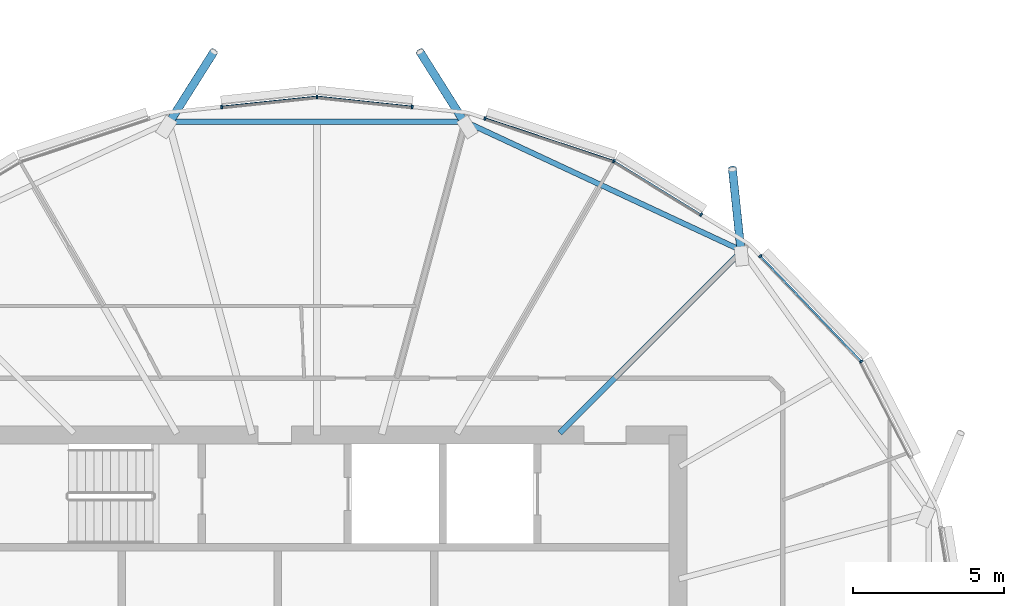
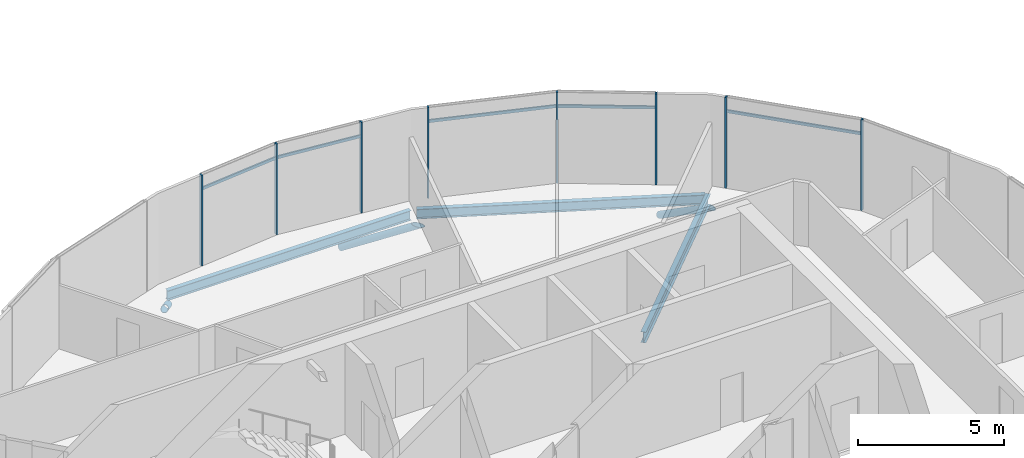
# One storey, part 10 of 36: 16 members, 3 beams, 1 element without a shape of its own.
"""IFC4 building model written with IfcOpenShell, lengths in metres."""

from ifc_helpers import new_model, si_unit, direction, frame, origin, origin_2d, place, context, subcontext, project, spatial, rectangle, hollow_circle, i_section, extrude, clip, halfspace, material, material_profile, profile_set, type_object, element, aggregate, save


model = new_model("IFC4")

# Units and contexts
model_context = context("Model", 3, precision=1e-05, world=origin(), true_north=direction((0.0, 1.0)))
body_context = subcontext(model_context, "Body", "Model", "MODEL_VIEW")
ifc_project = project(units=[si_unit("LENGTHUNIT", "METRE"), si_unit("AREAUNIT", "SQUARE_METRE"), si_unit("VOLUMEUNIT", "CUBIC_METRE"), si_unit("PLANEANGLEUNIT", "RADIAN"), si_unit("MASSUNIT", "GRAM", prefix="KILO")], contexts=[model_context])

# Site, building, storey
site_placement = place(None, origin())
site = spatial("IfcSite", under=ifc_project, at=site_placement, CompositionType="ELEMENT")
building_placement = place(site_placement, origin())
building = spatial("IfcBuilding", under=site, at=building_placement, Name="Rimbun Link Towers", CompositionType="ELEMENT")
storey_placement = place(building_placement, frame((0.0, 0.0, 200.699951171875)))
storey = spatial("IfcBuildingStorey", under=building, at=storey_placement, Name="L49", CompositionType="ELEMENT", Elevation=200.699951171875)

# Curtain wall, members
ifc_material_1 = material(Name="Aluminium 6063-T6 and low-iron glass", Category="aluminium")
curtain_wall_type = type_object("IfcCurtainWallType", Name="CW1-Z3 unitised vision wall (zone 3)", PredefinedType="NOTDEFINED", material=ifc_material_1)
curtain_wall_placement = place(storey_placement, origin())
curtain_wall = element("IfcCurtainWall", 1, at=curtain_wall_placement, inside=storey, type_object=curtain_wall_type, Name="CW1 L49 T1", PredefinedType="NOTDEFINED")
ifc_material_2 = material(Name="Aluminium 6063-T6", Category="aluminium")
ifc_material_profile_1 = material_profile(ifc_material_2, rectangle(XDim=0.1201171875, YDim=0.06005859375, at=origin_2d()), Name="MULLION 60X120")
ifc_profile_set_1 = profile_set([ifc_material_profile_1], Name="Aluminium 6063-T6")
member_type_1 = type_object("IfcMemberType", Name="CW1 mullion 60X120", PredefinedType="MULLION", material=ifc_profile_set_1)
member_1_placement = place(storey_placement, frame((-13.660888671875, 10.450439453125, 0.0), z_axis=(0.0, 0.0, 1.0), x_axis=(0.813350615069, 0.581773819423, 0.0)))
member_1 = element("IfcMember", 2, at=member_1_placement, type_object=member_type_1, Name="CW1 mullion", PredefinedType="MULLION", context=body_context, shape_type="SweptSolid", body=[
    extrude(rectangle(XDim=0.1201171875, YDim=0.06005859375, at=origin_2d()), origin(), (0.0, 0.0, 1.0), 3.800048828125),
])
member_2_placement = place(storey_placement, frame((-17.017578125, 13.952880859375, 0.0), z_axis=(0.0, 0.0, 1.0), x_axis=(0.721858505917, 0.692040676143, 0.0)))
member_2 = element("IfcMember", 3, at=member_2_placement, type_object=member_type_1, Name="CW1 mullion", PredefinedType="MULLION", context=body_context, shape_type="SweptSolid", body=[
    extrude(rectangle(XDim=0.1201171875, YDim=0.06005859375, at=origin_2d()), origin(), (0.0, 0.0, 1.0), 3.800048828125),
])
member_3_placement = place(storey_placement, frame((-21.881103515625, 17.10400390625, 0.0), z_axis=(0.0, 0.0, 1.0), x_axis=(0.421694621362, 0.906737914899, 0.0)))
member_3 = element("IfcMember", 4, at=member_3_placement, type_object=member_type_1, Name="CW1 mullion", PredefinedType="MULLION", context=body_context, shape_type="SweptSolid", body=[
    extrude(rectangle(XDim=0.1201171875, YDim=0.06005859375, at=origin_2d()), origin(), (0.0, 0.0, 1.0), 3.800048828125),
])
member_4_placement = place(storey_placement, frame((-18.98681640625, 15.327392578125, 0.0), z_axis=(0.0, 0.0, 1.0), x_axis=(0.523229231966, 0.852191980023, 0.0)))
member_4 = element("IfcMember", 5, at=member_4_placement, type_object=member_type_1, Name="CW1 mullion", PredefinedType="MULLION", context=body_context, shape_type="SweptSolid", body=[
    extrude(rectangle(XDim=0.1201171875, YDim=0.06005859375, at=origin_2d()), origin(), (0.0, 0.0, 1.0), 3.800048828125),
])
member_5_placement = place(storey_placement, frame((-26.162841796875, 18.5234375, 0.0), z_axis=(0.0, 0.0, 1.0), x_axis=(0.314557993327, 0.949238257149, 0.0)))
member_5 = element("IfcMember", 6, at=member_5_placement, type_object=member_type_1, Name="CW1 mullion", PredefinedType="MULLION", context=body_context, shape_type="SweptSolid", body=[
    extrude(rectangle(XDim=0.1201171875, YDim=0.06005859375, at=origin_2d()), origin(), (0.0, 0.0, 1.0), 3.800048828125),
])
member_6_placement = place(storey_placement, frame((-31.75, 19.24169921875, 0.0), z_axis=(0.0, 0.0, 1.0), x_axis=(0.0, 1.0, 0.0)))
member_6 = element("IfcMember", 7, at=member_6_placement, type_object=member_type_1, Name="CW1 mullion", PredefinedType="MULLION", context=body_context, shape_type="SweptSolid", body=[
    extrude(rectangle(XDim=0.1201171875, YDim=0.06005859375, at=origin_2d()), origin(), (0.0, 0.0, 1.0), 3.800048828125),
])
member_7_placement = place(storey_placement, frame((-28.584716796875, 18.90869140625, 0.0), z_axis=(0.0, 0.0, 1.0), x_axis=(0.104747958219, 0.994498801029, 0.0)))
member_7 = element("IfcMember", 8, at=member_7_placement, type_object=member_type_1, Name="CW1 mullion", PredefinedType="MULLION", context=body_context, shape_type="SweptSolid", body=[
    extrude(rectangle(XDim=0.1201171875, YDim=0.06005859375, at=origin_2d()), origin(), (0.0, 0.0, 1.0), 3.800048828125),
])
member_8_placement = place(storey_placement, frame((-34.915283203125, 18.90869140625, 0.0), z_axis=(0.0, 0.0, 1.0), x_axis=(-0.104747958219, 0.994498801029, 0.0)))
member_8 = element("IfcMember", 9, at=member_8_placement, type_object=member_type_1, Name="CW1 mullion", PredefinedType="MULLION", context=body_context, shape_type="SweptSolid", body=[
    extrude(rectangle(XDim=0.1201171875, YDim=0.06005859375, at=origin_2d()), origin(), (0.0, 0.0, 1.0), 3.800048828125),
])
ifc_material_3 = material(Name="Aluminium 6063-T6", Category="aluminium")
ifc_material_profile_2 = material_profile(ifc_material_3, rectangle(XDim=0.06005859375, YDim=0.1201171875, at=origin_2d()), Name="TRANSOM 60X120")
ifc_profile_set_2 = profile_set([ifc_material_profile_2], Name="Aluminium 6063-T6")
member_type_2 = type_object("IfcMemberType", Name="CW1 transom 60X120", PredefinedType="USERDEFINED", material=ifc_profile_set_2)
member_9_placement = place(storey_placement, frame((-16.998291015625, 13.929931640625, 3.199951171875), z_axis=(0.692018439281, -0.721879823582, 0.0), x_axis=(0.721879823582, 0.692018439281, 0.0)))
member_9 = element("IfcMember", 10, at=member_9_placement, type_object=member_type_2, Name="CW1 transom", ObjectType="TRANSOM", PredefinedType="USERDEFINED", context=body_context, shape_type="SweptSolid", body=[
    extrude(rectangle(XDim=0.06005859375, YDim=0.1201171875, at=origin_2d()), origin(), (0.0, 0.0, 1.0), 4.782958984375),
])
member_10_placement = place(storey_placement, frame((-21.8505859375, 17.08349609375, 3.199951171875), z_axis=(0.852194171963, -0.523225661901, 0.0), x_axis=(0.523225661901, 0.852194171963, 0.0)))
member_10 = element("IfcMember", 11, at=member_10_placement, type_object=member_type_2, Name="CW1 transom", ObjectType="TRANSOM", PredefinedType="USERDEFINED", context=body_context, shape_type="SweptSolid", body=[
    extrude(rectangle(XDim=0.06005859375, YDim=0.1201171875, at=origin_2d()), origin(), (0.0, 0.0, 1.0), 3.329345703125),
])
member_11_placement = place(storey_placement, frame((-26.135009765625, 18.511962890625, 3.199951171875), z_axis=(0.949247657744, -0.314529623833, 0.0), x_axis=(0.314529623833, 0.949247657744, 0.0)))
member_11 = element("IfcMember", 12, at=member_11_placement, type_object=member_type_2, Name="CW1 transom", ObjectType="TRANSOM", PredefinedType="USERDEFINED", context=body_context, shape_type="SweptSolid", body=[
    extrude(rectangle(XDim=0.06005859375, YDim=0.1201171875, at=origin_2d()), origin(), (0.0, 0.0, 1.0), 4.44384765625),
])
member_12_placement = place(storey_placement, frame((-31.714111328125, 19.236328125, 3.199951171875), z_axis=(0.994499011805, -0.104745957049, 0.0), x_axis=(0.104745957049, 0.994499011805, 0.0)))
member_12 = element("IfcMember", 13, at=member_12_placement, type_object=member_type_2, Name="CW1 transom", ObjectType="TRANSOM", PredefinedType="USERDEFINED", context=body_context, shape_type="SweptSolid", body=[
    extrude(rectangle(XDim=0.06005859375, YDim=0.1201171875, at=origin_2d()), origin(), (0.0, 0.0, 1.0), 3.1162109375),
])
member_13_placement = place(storey_placement, frame((-34.885009765625, 18.909912109375, 3.199951171875), z_axis=(0.994499011805, 0.104745957049, 0.0), x_axis=(-0.104745957049, 0.994499011805, 0.0)))
member_13 = element("IfcMember", 14, at=member_13_placement, type_object=member_type_2, Name="CW1 transom", ObjectType="TRANSOM", PredefinedType="USERDEFINED", context=body_context, shape_type="SweptSolid", body=[
    extrude(rectangle(XDim=0.06005859375, YDim=0.1201171875, at=origin_2d()), origin(), (0.0, 0.0, 1.0), 3.1162109375),
])
aggregate(curtain_wall, [member_1, member_2, member_3, member_4, member_5, member_6, member_7, member_8, member_9, member_10, member_11, member_12, member_13])

# Members
ifc_material_4 = material(Name="Steel S355J2H", Category="steel")
ifc_material_profile_3 = material_profile(ifc_material_4, hollow_circle(Radius=0.136474609375, WallThickness=0.012451171875, at=origin_2d()), Name="CHS 273x12.5")
ifc_profile_set_3 = profile_set([ifc_material_profile_3], Name="Steel S355J2H")
member_type_3 = type_object("IfcMemberType", Name="Floor edge link CHS 273x12.5", PredefinedType="BRACE", material=ifc_profile_set_3)
member_14_placement = place(storey_placement, frame((-17.65869140625, 14.09130859375, -0.716552734375), z_axis=(-0.086451226254, 0.825394718619, -0.557897610638), x_axis=(-0.994559566181, -0.104169426021, 0.0)))
element("IfcMember", 15, at=member_14_placement, inside=storey, type_object=member_type_3, Name="Floor edge link T1 L49 03", PredefinedType="BRACE", context=body_context, shape_type="Clipping", body=[
    clip(extrude(hollow_circle(Radius=0.136474609375, WallThickness=0.012451171875, at=origin_2d()), frame((0.0, 0.0, -0.424072265625)), (0.0, 0.0, 1.0), 3.781982421875), halfspace(frame((0.0, 0.0, -0.19921875), z_axis=(0.0, 0.829909787895, -0.557897610638)), False)),
])
for number, where, z_axis, x_axis, name in (
    (16, (-26.829833984375, 18.3623046875, -0.867919921875), (-0.450115892744, 0.713858527512, -0.536471514433), (-0.845885696157, -0.533364217994, 0.0), "Floor edge link T1 L49 05"),
    (17, (-36.670166015625, 18.3623046875, -0.867919921875), (0.450115892744, 0.713858527512, -0.536471514433), (-0.845885696157, 0.533364217994, 0.0), "Floor edge link T1 L49 07"),
):
    element("IfcMember", number, at=place(storey_placement, frame(where, z_axis=z_axis, x_axis=x_axis)), inside=storey, type_object=member_type_3, Name=name, PredefinedType="BRACE", context=body_context, shape_type="Clipping", body=[
        clip(extrude(hollow_circle(Radius=0.136474609375, WallThickness=0.012451171875, at=origin_2d()), frame((0.0, 0.0, -0.447998046875)), (0.0, 0.0, 1.0), 3.789794921875), halfspace(frame((0.0, 0.0, -0.21142578125), z_axis=(0.0, 0.843918428642, -0.536471514433)), False)),
    ])

# Beams
ifc_material_5 = material(Name="Steel S355J2", Category="steel")
ifc_material_profile_4 = material_profile(ifc_material_5, i_section(OverallWidth=0.177978515625, OverallDepth=0.406494140625, WebThickness=0.0078125, FlangeThickness=0.0126953125, at=origin_2d()), Name="UB 406x178x60")
ifc_profile_set_4 = profile_set([ifc_material_profile_4], Name="Steel S355J2")
beam_type_1 = type_object("IfcBeamType", Name="UB 406x178x60", PredefinedType="BEAM", material=ifc_profile_set_4)
beam_1_placement = place(storey_placement, frame((-17.7158203125, 14.169677734375, -0.353271484375), z_axis=(-0.906412403609, 0.42239383824, 0.0), x_axis=(-0.42239383824, -0.906412403609, 0.0)))
element("IfcBeam", 18, at=beam_1_placement, inside=storey, type_object=beam_type_1, Name="Edge beam T1 L49 03-05", PredefinedType="BEAM", context=body_context, shape_type="SweptSolid", body=[
    extrude(i_section(OverallWidth=0.177978515625, OverallDepth=0.406494140625, WebThickness=0.0078125, FlangeThickness=0.0126953125, at=origin_2d()), origin(), (0.0, 0.0, 1.0), 9.924072265625),
])
beam_2_placement = place(storey_placement, frame((-26.935791015625, 18.41064453125, -0.353271484375), z_axis=(-1.0, 0.0, 0.0), x_axis=(0.0, -1.0, 0.0)))
element("IfcBeam", 19, at=beam_2_placement, inside=storey, type_object=beam_type_1, Name="Edge beam T1 L49 05-07", PredefinedType="BEAM", context=body_context, shape_type="SweptSolid", body=[
    extrude(i_section(OverallWidth=0.177978515625, OverallDepth=0.406494140625, WebThickness=0.0078125, FlangeThickness=0.0126953125, at=origin_2d()), origin(), (0.0, 0.0, 1.0), 9.62841796875),
])
ifc_material_6 = material(Name="Steel S355J2", Category="steel")
ifc_material_profile_5 = material_profile(ifc_material_6, i_section(OverallWidth=0.18994140625, OverallDepth=0.453369140625, WebThickness=0.008544921875, FlangeThickness=0.0126953125, at=origin_2d()), Name="UB 457x191x67")
ifc_profile_set_5 = profile_set([ifc_material_profile_5], Name="Steel S355J2")
beam_type_2 = type_object("IfcBeamType", Name="UB 457x191x67", PredefinedType="BEAM", material=ifc_profile_set_5)
beam_3_placement = place(storey_placement, frame((-23.68212890625, 8.06787109375, -0.376708984375), z_axis=(0.707106781187, 0.707106781187, 0.0), x_axis=(-0.707106781187, 0.707106781187, 0.0)))
element("IfcBeam", 20, at=beam_3_placement, inside=storey, type_object=beam_type_2, Name="Radial beam T1 L49 03", PredefinedType="BEAM", context=body_context, shape_type="SweptSolid", body=[
    extrude(i_section(OverallWidth=0.18994140625, OverallDepth=0.453369140625, WebThickness=0.008544921875, FlangeThickness=0.0126953125, at=origin_2d()), origin(), (0.0, 0.0, 1.0), 8.568603515625),
])

save(model, "model.ifc")
